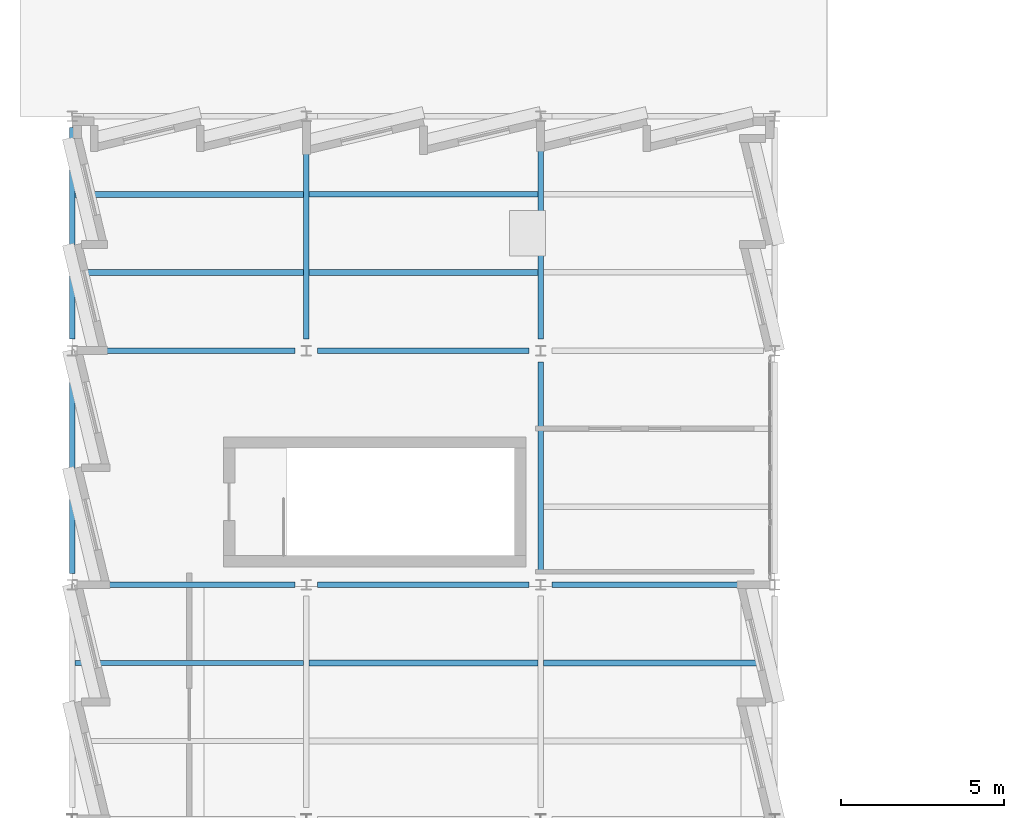
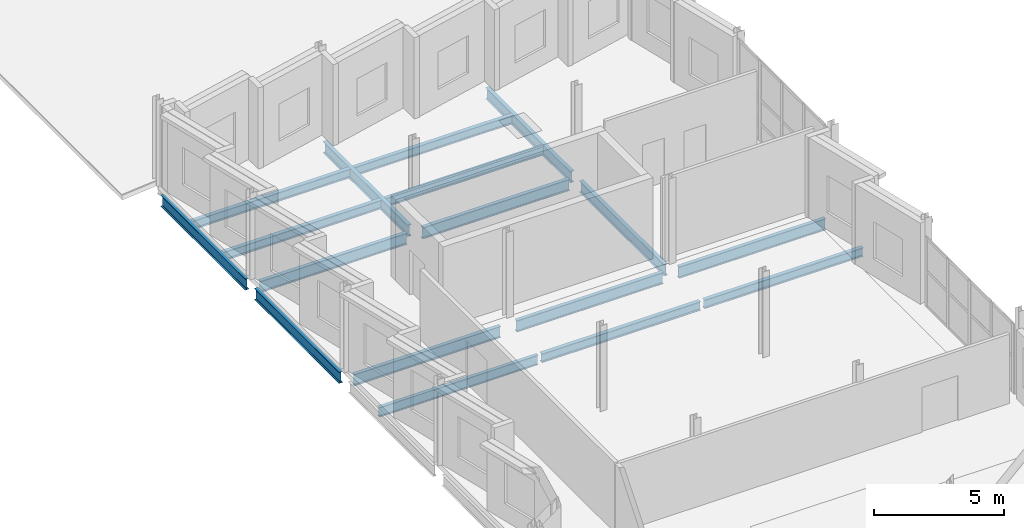
# One storey, part 8 of 18: 17 beams.
"""IFC4 building model written with IfcOpenShell, lengths in metres."""

from ifc_helpers import new_model, si_unit, direction, frame, origin, origin_2d, place, context, subcontext, project, spatial, i_section, extrude, material, material_profile, profile_set, type_object, element, save


model = new_model("IFC4")

# Units and contexts
model_context = context("Model", 3, precision=1e-05, world=origin(), true_north=direction((0.0, 1.0)))
body_context = subcontext(model_context, "Body", "Model", "MODEL_VIEW")
ifc_project = project(units=[si_unit("LENGTHUNIT", "METRE"), si_unit("AREAUNIT", "SQUARE_METRE"), si_unit("VOLUMEUNIT", "CUBIC_METRE"), si_unit("PLANEANGLEUNIT", "RADIAN"), si_unit("MASSUNIT", "GRAM", prefix="KILO")], contexts=[model_context])

# Site, building, storey
site_placement = place(None, origin())
site = spatial("IfcSite", under=ifc_project, at=site_placement, CompositionType="ELEMENT")
building_placement = place(site_placement, origin())
building = spatial("IfcBuilding", under=site, at=building_placement, Name="Kalmorath City Hall", CompositionType="ELEMENT")
storey_placement = place(building_placement, frame((0.0, 0.0, 27.0)))
storey = spatial("IfcBuildingStorey", under=building, at=storey_placement, Name="L06", CompositionType="ELEMENT", Elevation=27.0)

# Beams
ifc_material_1 = material(Name="Steel ASTM A992 Grade 50", Category="steel")
ifc_material_profile_1 = material_profile(ifc_material_1, i_section(OverallWidth=0.177001953125, OverallDepth=0.403076171875, WebThickness=0.007568359375, FlangeThickness=0.010986328125, FilletRadius=0.012939453125, at=origin_2d()), Name="W16X36")
ifc_profile_set_1 = profile_set([ifc_material_profile_1], Name="Steel ASTM A992 Grade 50")
beam_type_1 = type_object("IfcBeamType", Name="Steel composite joist W16X36", PredefinedType="JOIST", material=ifc_profile_set_1)
for number, where, z_axis, x_axis, name in (
    (1, (7.283447265625, 60.0, -0.49560546875), (1.0, 0.0, 0.0), (0.0, 1.0, 0.0), "L06 joist SJ7 2.9.1"),
    (2, (7.283447265625, 62.39990234375, -0.49560546875), (1.0, 0.0, 0.0), (0.0, 1.0, 0.0), "L06 joist SJ7 2.9.2"),
):
    element("IfcBeam", number, at=place(storey_placement, frame(where, z_axis=z_axis, x_axis=x_axis)), inside=storey, type_object=beam_type_1, Name=name, PredefinedType="JOIST", context=body_context, shape_type="SweptSolid", body=[
        extrude(i_section(OverallWidth=0.177001953125, OverallDepth=0.403076171875, WebThickness=0.007568359375, FlangeThickness=0.010986328125, FilletRadius=0.012939453125, at=origin_2d()), origin(), (0.0, 0.0, 1.0), 7.032958984375),
    ])
ifc_material_2 = material(Name="Steel ASTM A992 Grade 50", Category="steel")
ifc_material_profile_2 = material_profile(ifc_material_2, i_section(OverallWidth=0.178955078125, OverallDepth=0.409912109375, WebThickness=0.0087890625, FlangeThickness=0.014404296875, FilletRadius=0.012939453125, at=origin_2d()), Name="W16X45")
ifc_profile_set_2 = profile_set([ifc_material_profile_2], Name="Steel ASTM A992 Grade 50")
beam_type_2 = type_object("IfcBeamType", Name="Steel composite joist W16X45", PredefinedType="JOIST", material=ifc_profile_set_2)
for number, where, z_axis, x_axis, name in (
    (3, (0.08251953125, 60.0, -0.4990234375), (1.0, 0.0, 0.0), (0.0, 1.0, 0.0), "L06 joist SJ6 1.9.1"),
    (4, (0.08251953125, 62.39990234375, -0.4990234375), (1.0, 0.0, 0.0), (0.0, 1.0, 0.0), "L06 joist SJ6 1.9.2"),
):
    element("IfcBeam", number, at=place(storey_placement, frame(where, z_axis=z_axis, x_axis=x_axis)), inside=storey, type_object=beam_type_2, Name=name, PredefinedType="JOIST", context=body_context, shape_type="SweptSolid", body=[
        extrude(i_section(OverallWidth=0.178955078125, OverallDepth=0.409912109375, WebThickness=0.0087890625, FlangeThickness=0.014404296875, FilletRadius=0.012939453125, at=origin_2d()), origin(), (0.0, 0.0, 1.0), 7.033935546875),
    ])
beam_1_placement = place(storey_placement, frame((14.4833984375, 48.0, -0.4990234375), z_axis=(1.0, 0.0, 0.0), x_axis=(0.0, 1.0, 0.0)))
element("IfcBeam", 5, at=beam_1_placement, inside=storey, type_object=beam_type_2, Name="L06 joist SJ6 3.7.2", PredefinedType="JOIST", context=body_context, shape_type="SweptSolid", body=[
    extrude(i_section(OverallWidth=0.178955078125, OverallDepth=0.409912109375, WebThickness=0.0087890625, FlangeThickness=0.014404296875, FilletRadius=0.012939453125, at=origin_2d()), origin(), (0.0, 0.0, 1.0), 7.0341796875),
])
ifc_material_3 = material(Name="Steel ASTM A992 Grade 50", Category="steel")
ifc_material_profile_3 = material_profile(ifc_material_3, i_section(OverallWidth=0.180908203125, OverallDepth=0.4169921875, WebThickness=0.010986328125, FlangeThickness=0.018310546875, FilletRadius=0.012939453125, at=origin_2d()), Name="W16X57")
ifc_profile_set_3 = profile_set([ifc_material_profile_3], Name="Steel ASTM A992 Grade 50")
beam_type_3 = type_object("IfcBeamType", Name="Steel composite joist W16X57", PredefinedType="JOIST", material=ifc_profile_set_3)
beam_2_placement = place(storey_placement, frame((7.283447265625, 48.0, -0.50244140625), z_axis=(1.0, 0.0, 0.0), x_axis=(0.0, 1.0, 0.0)))
element("IfcBeam", 6, at=beam_2_placement, inside=storey, type_object=beam_type_3, Name="L06 joist SJ5 2.7.2", PredefinedType="JOIST", context=body_context, shape_type="SweptSolid", body=[
    extrude(i_section(OverallWidth=0.180908203125, OverallDepth=0.4169921875, WebThickness=0.010986328125, FlangeThickness=0.018310546875, FilletRadius=0.012939453125, at=origin_2d()), origin(), (0.0, 0.0, 1.0), 7.032958984375),
])
ifc_material_4 = material(Name="Steel ASTM A992 Grade 50", Category="steel")
ifc_material_profile_4 = material_profile(ifc_material_4, i_section(OverallWidth=0.153076171875, OverallDepth=0.455078125, WebThickness=0.008056640625, FlangeThickness=0.01318359375, FilletRadius=0.013916015625, at=origin_2d()), Name="W18X40")
ifc_profile_set_4 = profile_set([ifc_material_profile_4], Name="Steel ASTM A992 Grade 50")
beam_type_4 = type_object("IfcBeamType", Name="Steel composite joist W18X40", PredefinedType="JOIST", material=ifc_profile_set_4)
beam_3_placement = place(storey_placement, frame((0.08251953125, 48.0, -0.521484375), z_axis=(1.0, 0.0, 0.0), x_axis=(0.0, 1.0, 0.0)))
element("IfcBeam", 7, at=beam_3_placement, inside=storey, type_object=beam_type_4, Name="L06 joist SJ4 1.7.2", PredefinedType="JOIST", context=body_context, shape_type="SweptSolid", body=[
    extrude(i_section(OverallWidth=0.153076171875, OverallDepth=0.455078125, WebThickness=0.008056640625, FlangeThickness=0.01318359375, FilletRadius=0.013916015625, at=origin_2d()), origin(), (0.0, 0.0, 1.0), 7.033935546875),
])
ifc_material_5 = material(Name="Steel ASTM A992 Grade 50", Category="steel")
ifc_material_profile_5 = material_profile(ifc_material_5, i_section(OverallWidth=0.1669921875, OverallDepth=0.534912109375, WebThickness=0.01025390625, FlangeThickness=0.0166015625, FilletRadius=0.014892578125, at=origin_2d()), Name="W21X57")
ifc_profile_set_5 = profile_set([ifc_material_profile_5], Name="Steel ASTM A992 Grade 50")
beam_type_5 = type_object("IfcBeamType", Name="Steel floor beam W21X57", PredefinedType="BEAM", material=ifc_profile_set_5)
for number, where, z_axis, x_axis, name in (
    (8, (0.35009765625, 50.39990234375, -0.5615234375), (1.0, 0.0, 0.0), (0.0, 1.0, 0.0), "L06 girder SB3 X1-2/8"),
    (9, (7.550048828125, 50.39990234375, -0.5615234375), (1.0, 0.0, 0.0), (0.0, 1.0, 0.0), "L06 girder SB3 X2-3/8"),
    (10, (14.75, 50.39990234375, -0.5615234375), (1.0, 0.0, 0.0), (0.0, 1.0, 0.0), "L06 girder SB3 X3-4/8"),
    (11, (0.35009765625, 57.60009765625, -0.5615234375), (1.0, 0.0, 0.0), (0.0, 1.0, 0.0), "L06 girder SB3 X1-2/9"),
    (12, (7.550048828125, 57.60009765625, -0.5615234375), (1.0, 0.0, 0.0), (0.0, 1.0, 0.0), "L06 girder SB3 X2-3/9"),
    (13, (7.199951171875, 57.949951171875, -0.5615234375), (0.0, 1.0, 0.0), (-1.0, 0.0, 0.0), "L06 girder SB3 Y2/9-10"),
    (14, (14.39990234375, 50.75, -0.5615234375), (0.0, 1.0, 0.0), (-1.0, 0.0, 0.0), "L06 girder SB3 Y3/8-9"),
    (15, (14.39990234375, 57.949951171875, -0.5615234375), (0.0, 1.0, 0.0), (-1.0, 0.0, 0.0), "L06 girder SB3 Y3/9-10"),
):
    element("IfcBeam", number, at=place(storey_placement, frame(where, z_axis=z_axis, x_axis=x_axis)), inside=storey, type_object=beam_type_5, Name=name, PredefinedType="BEAM", context=body_context, shape_type="SweptSolid", body=[
        extrude(i_section(OverallWidth=0.1669921875, OverallDepth=0.534912109375, WebThickness=0.01025390625, FlangeThickness=0.0166015625, FilletRadius=0.014892578125, at=origin_2d()), origin(), (0.0, 0.0, 1.0), 6.5),
    ])
ifc_material_6 = material(Name="Steel ASTM A992 Grade 50", Category="steel")
ifc_material_profile_6 = material_profile(ifc_material_6, i_section(OverallWidth=0.1650390625, OverallDepth=0.52490234375, WebThickness=0.0087890625, FlangeThickness=0.011474609375, FilletRadius=0.014892578125, at=origin_2d()), Name="W21X44")
ifc_profile_set_6 = profile_set([ifc_material_profile_6], Name="Steel ASTM A992 Grade 50")
beam_type_6 = type_object("IfcBeamType", Name="Steel spandrel beam W21X44", PredefinedType="SPANDREL", material=ifc_profile_set_6)
for number, where, z_axis, x_axis, name in (
    (16, (0.0, 50.75, -0.556396484375), (0.0, 1.0, 0.0), (-1.0, 0.0, 0.0), "L06 girder SB4 Y1/8-9"),
    (17, (0.0, 57.949951171875, -0.556396484375), (0.0, 1.0, 0.0), (-1.0, 0.0, 0.0), "L06 girder SB4 Y1/9-10"),
):
    element("IfcBeam", number, at=place(storey_placement, frame(where, z_axis=z_axis, x_axis=x_axis)), inside=storey, type_object=beam_type_6, Name=name, PredefinedType="SPANDREL", context=body_context, shape_type="SweptSolid", body=[
        extrude(i_section(OverallWidth=0.1650390625, OverallDepth=0.52490234375, WebThickness=0.0087890625, FlangeThickness=0.011474609375, FilletRadius=0.014892578125, at=origin_2d()), origin(), (0.0, 0.0, 1.0), 6.5),
    ])

save(model, "model.ifc")
